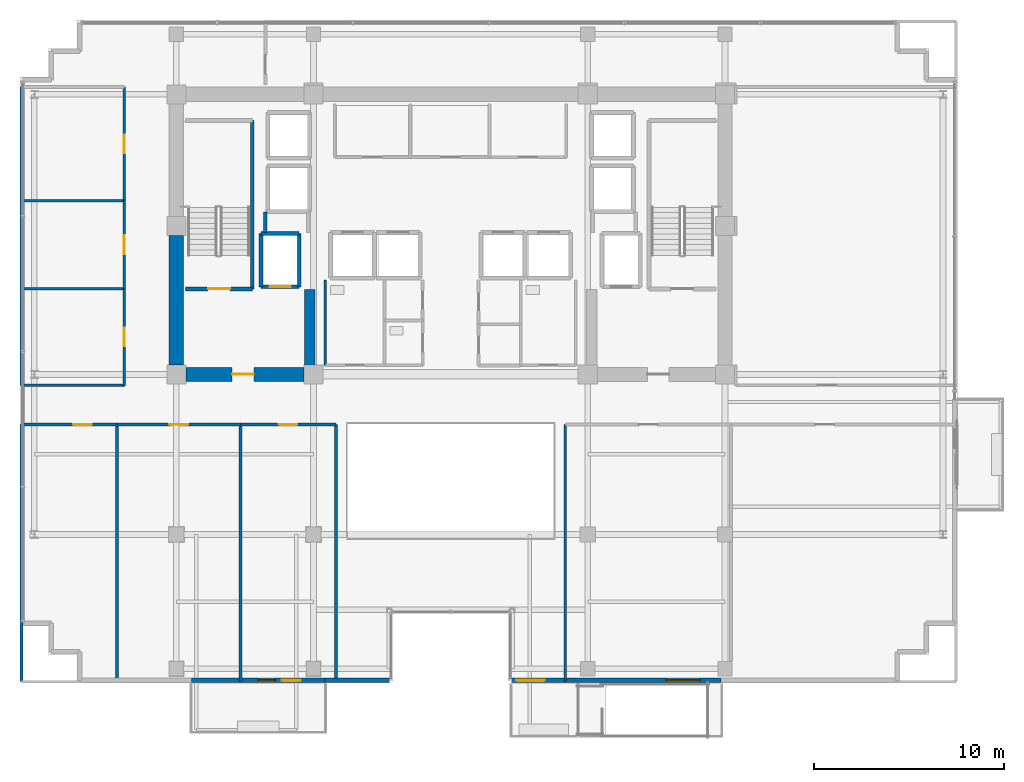
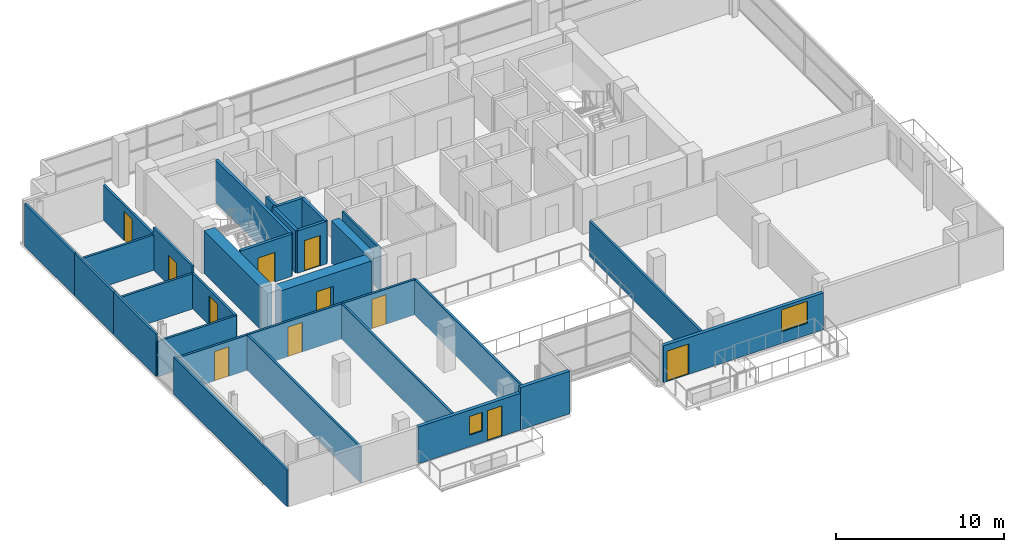
# One storey, part 16 of 23: 31 walls, 11 doors, 2 windows, 13 openings.
"""IFC4 building model written with IfcOpenShell, lengths in metres."""

from ifc_helpers import new_model, si_unit, direction, frame, frame_2d, origin, place, context, subcontext, project, spatial, rectangle, extrude, source, transform, mapped, material, layer, layer_set, type_object, element, fill, save


model = new_model("IFC4")

# Units and contexts
model_context = context("Model", 3, precision=1e-05, world=origin(), true_north=direction((0.0, 1.0)))
body_context = subcontext(model_context, "Body", "Model", "MODEL_VIEW")
ifc_project = project(units=[si_unit("LENGTHUNIT", "METRE"), si_unit("AREAUNIT", "SQUARE_METRE"), si_unit("VOLUMEUNIT", "CUBIC_METRE"), si_unit("PLANEANGLEUNIT", "RADIAN"), si_unit("MASSUNIT", "GRAM", prefix="KILO")], contexts=[model_context])

# Site, building, storey
site_placement = place(None, origin())
site = spatial("IfcSite", under=ifc_project, at=site_placement, CompositionType="ELEMENT")
building_placement = place(site_placement, origin())
building = spatial("IfcBuilding", under=site, at=building_placement, Name="Zarnakvel Exchange Tower", CompositionType="ELEMENT")
storey_placement = place(building_placement, frame((0.0, 0.0, 175.89990234375)))
storey = spatial("IfcBuildingStorey", under=building, at=storey_placement, Name="L49", CompositionType="ELEMENT", Elevation=175.89990234375)

# Wall
ifc_material_1 = material(Name="Concrete C60/75", Category="concrete")
ifc_layer_1 = layer(ifc_material_1, 0.75)
ifc_layer_set_1 = layer_set([ifc_layer_1], Name="Concrete C60/75")
wall_type_1 = type_object("IfcWallType", Name="CW-C3", PredefinedType="SHEAR", material=ifc_layer_set_1)
wall_1_placement = place(storey_placement, frame((-14.39990234375, -0.699951171875, 0.0), z_axis=(0.0, 0.0, 1.0), x_axis=(0.0, 1.0, 0.0)))
element("IfcWall", 1, at=wall_1_placement, inside=storey, type_object=wall_type_1, Name="L49 Rear Core Shear Wall W1 (CW-C3)", PredefinedType="SHEAR", context=body_context, shape_type="SweptSolid", body=[
    extrude(rectangle(XDim=6.800048828125, YDim=0.75, at=frame_2d((3.39990234375, 0.0))), origin(), (0.0, 0.0, 1.0), 3.0751953125),
])

# Wall, opening, door
wall_2_placement = place(storey_placement, frame((-7.699951171875, -1.199951171875, 0.0), z_axis=(0.0, 0.0, 1.0), x_axis=(-1.0, 0.0, 0.0)))
wall_2 = element("IfcWall", 2, at=wall_2_placement, inside=storey, type_object=wall_type_1, Name="L49 Rear Core Shear Wall SW (CW-C3)", PredefinedType="SHEAR", context=body_context, shape_type="SweptSolid", body=[
    extrude(rectangle(XDim=6.199951171875, YDim=0.75, at=frame_2d((3.10009765625, 0.0))), origin(), (0.0, 0.0, 1.0), 3.0751953125),
])
opening_1_placement = place(wall_2_placement, frame((2.625, 0.0, 0.0)))
opening_1 = element("IfcOpeningElement", 3, at=opening_1_placement, cuts=wall_2, Name="Opening D-L49-03", PredefinedType="OPENING", context=body_context, shape_type="SweptSolid", body=[
    extrude(rectangle(XDim=1.14990234375, YDim=2.14990234375, at=frame_2d((0.574951171875, 1.074951171875))), frame((0.0, 0.385009765625, 0.0), z_axis=(0.0, -1.0, 0.0), x_axis=(1.0, 0.0, 0.0)), (0.0, 0.0, 1.0), 0.77001953125),
])
ifc_material_2 = material(Name="Painted Galvanised Steel S355", Category="steel")
door_type_1 = type_object("IfcDoorType", Name="DT-04", OperationType="NOTDEFINED", PredefinedType="DOOR", material=ifc_material_2)
shared_shape_1 = source(origin(), body_context, "Body", "SweptSolid", [
    extrude(rectangle(XDim=1.14990234375, YDim=2.14990234375, at=frame_2d((0.574951171875, 1.074951171875))), frame((0.0, 0.02490234375, 0.0), z_axis=(0.0, -1.0, 0.0), x_axis=(1.0, 0.0, 0.0)), (0.0, 0.0, 1.0), 0.050048828125),
])
door_1_placement = place(opening_1_placement, origin())
door_1 = element("IfcDoor", 4, at=door_1_placement, inside=storey, type_object=door_type_1, Name="L49 Firefighting Lobby West Door D-L49-03", OperationType="SINGLE_SWING_LEFT", OverallHeight=2.14990234375, OverallWidth=1.14990234375, PredefinedType="DOOR", context=body_context, shape_type="MappedRepresentation", body=[
    mapped(shared_shape_1, transform((0.0, 0.0, 0.0), x_axis=(1.0, 0.0, 0.0), y_axis=(0.0, 1.0, 0.0), z_axis=(0.0, 0.0, 1.0), scale=1.0)),
])
fill(opening_1, door_1)

# Wall
ifc_layer_2 = layer(ifc_material_1, 0.550048828125)
ifc_layer_set_2 = layer_set([ifc_layer_2], Name="Concrete C60/75")
wall_type_2 = type_object("IfcWallType", Name="CW-C4", PredefinedType="SHEAR", material=ifc_layer_set_2)
wall_3_placement = place(storey_placement, frame((-7.39990234375, -0.824951171875, 0.0), z_axis=(0.0, 0.0, 1.0), x_axis=(0.0, 1.0, 0.0)))
element("IfcWall", 5, at=wall_3_placement, inside=storey, type_object=wall_type_2, Name="L49 Rear Core Shear Wall IW (CW-C4)", PredefinedType="SHEAR", context=body_context, shape_type="SweptSolid", body=[
    extrude(rectangle(XDim=4.074951171875, YDim=0.550048828125, at=frame_2d((2.03759765625, 0.0))), origin(), (0.0, 0.0, 1.0), 3.0751953125),
])

# Wall, openings, door, window
ifc_material_3 = material(Name="Precast concrete C40/50", Category="concrete")
ifc_layer_3 = layer(ifc_material_3, 0.239990234375)
ifc_layer_set_3 = layer_set([ifc_layer_3], Name="Precast concrete C40/50")
wall_type_3 = type_object("IfcWallType", Name="EW-02", PredefinedType="SOLIDWALL", material=ifc_layer_set_3)
wall_4_placement = place(storey_placement, frame((-6.60009765625, -17.260009765625, 0.0), z_axis=(0.0, 0.0, 1.0), x_axis=(-1.0, 0.0, 0.0)))
wall_4 = element("IfcWall", 6, at=wall_4_placement, inside=storey, type_object=wall_type_3, Name="L49 Exterior Precast Spandrel Wall EW-BAL-L49-SW (EW-02)", PredefinedType="SOLIDWALL", context=body_context, shape_type="SweptSolid", body=[
    extrude(rectangle(XDim=7.0, YDim=0.239990234375, at=frame_2d((3.5, 0.0))), origin(), (0.0, 0.0, 1.0), 2.6650390625),
])
opening_2_placement = place(wall_4_placement, frame((1.260009765625, 0.0, 0.0)))
opening_2 = element("IfcOpeningElement", 7, at=opening_2_placement, cuts=wall_4, Name="Opening BD-L49-01", PredefinedType="OPENING", context=body_context, shape_type="SweptSolid", body=[
    extrude(rectangle(XDim=1.0, YDim=2.199951171875, at=frame_2d((0.5, 1.10009765625))), frame((0.0, 0.1298828125, 0.0), z_axis=(0.0, -1.0, 0.0), x_axis=(1.0, 0.0, 0.0)), (0.0, 0.0, 1.0), 0.260009765625),
])
opening_3_placement = place(wall_4_placement, frame((2.610107421875, 0.0, 0.85009765625)))
opening_3 = element("IfcOpeningElement", 8, at=opening_3_placement, cuts=wall_4, Name="Opening WN-06", PredefinedType="OPENING", context=body_context, shape_type="SweptSolid", body=[
    extrude(rectangle(XDim=0.89990234375, YDim=1.35009765625, at=frame_2d((0.449951171875, 0.675048828125))), frame((0.0, 0.1298828125, 0.0), z_axis=(0.0, -1.0, 0.0), x_axis=(1.0, 0.0, 0.0)), (0.0, 0.0, 1.0), 0.260009765625),
])
ifc_material_4 = material(Name="Architectural Bronze Anodised Aluminium", Category="aluminium")
door_type_2 = type_object("IfcDoorType", Name="DT-09", OperationType="NOTDEFINED", PredefinedType="DOOR", material=ifc_material_4)
shared_shape_2 = source(origin(), body_context, "Body", "SweptSolid", [
    extrude(rectangle(XDim=1.0, YDim=2.199951171875, at=frame_2d((0.5, 1.10009765625))), frame((0.0, 0.02490234375, 0.0), z_axis=(0.0, -1.0, 0.0), x_axis=(1.0, 0.0, 0.0)), (0.0, 0.0, 1.0), 0.050048828125),
])
door_2_placement = place(opening_2_placement, origin())
door_2 = element("IfcDoor", 9, at=door_2_placement, inside=storey, type_object=door_type_2, Name="L49 Planted Loggia Balcony Door BD-L49-01", OperationType="SINGLE_SWING_LEFT", OverallHeight=2.199951171875, OverallWidth=1.0, PredefinedType="DOOR", context=body_context, shape_type="MappedRepresentation", body=[
    mapped(shared_shape_2, transform((0.0, 0.0, 0.0), x_axis=(1.0, 0.0, 0.0), y_axis=(0.0, 1.0, 0.0), z_axis=(0.0, 0.0, 1.0), scale=1.0)),
])
fill(opening_2, door_2)
ifc_material_5 = material(Name="Double Low-E Laminated Vision Glass", Category="glass")
window_type_1 = type_object("IfcWindowType", Name="WN-06", PartitioningType="SINGLE_PANEL", PredefinedType="WINDOW", material=ifc_material_5)
shared_shape_3 = source(origin(), body_context, "Body", "SweptSolid", [
    extrude(rectangle(XDim=0.89990234375, YDim=1.35009765625, at=frame_2d((0.449951171875, 0.675048828125))), frame((0.0, 0.030029296875, 0.0), z_axis=(0.0, -1.0, 0.0), x_axis=(1.0, 0.0, 0.0)), (0.0, 0.0, 1.0), 0.06005859375),
])
window_1_placement = place(opening_3_placement, origin())
window_1 = element("IfcWindow", 10, at=window_1_placement, inside=storey, type_object=window_type_1, Name="L49 Loggia Daylight Window (WN-06)", OverallHeight=1.35009765625, OverallWidth=0.89990234375, PartitioningType="SINGLE_PANEL", PredefinedType="WINDOW", context=body_context, shape_type="MappedRepresentation", body=[
    mapped(shared_shape_3, transform((0.0, 0.0, 0.0), x_axis=(1.0, 0.0, 0.0), y_axis=(0.0, 1.0, 0.0), z_axis=(0.0, 0.0, 1.0), scale=1.0)),
])
fill(opening_3, window_1)

wall_5_placement = place(storey_placement, frame((14.199951171875, -17.260009765625, 0.0), z_axis=(0.0, 0.0, 1.0), x_axis=(-1.0, 0.0, 0.0)))
wall_5 = element("IfcWall", 11, at=wall_5_placement, inside=storey, type_object=wall_type_3, Name="L49 Exterior Precast Spandrel Wall EW-SPTER-L49 (EW-02)", PredefinedType="SOLIDWALL", context=body_context, shape_type="SweptSolid", body=[
    extrude(rectangle(XDim=11.0, YDim=0.239990234375, at=frame_2d((5.5, 0.0))), origin(), (0.0, 0.0, 1.0), 2.6650390625),
])
opening_4_placement = place(wall_5_placement, frame((9.25, 0.0, 0.0)))
opening_4 = element("IfcOpeningElement", 12, at=opening_4_placement, cuts=wall_5, Name="Opening TD-L49-SP", PredefinedType="OPENING", context=body_context, shape_type="SweptSolid", body=[
    extrude(rectangle(XDim=1.5, YDim=2.199951171875, at=frame_2d((0.75, 1.10009765625))), frame((0.0, 0.1298828125, 0.0), z_axis=(0.0, -1.0, 0.0), x_axis=(1.0, 0.0, 0.0)), (0.0, 0.0, 1.0), 0.260009765625),
])
opening_5_placement = place(wall_5_placement, frame((1.10009765625, 0.0, 0.85009765625)))
opening_5 = element("IfcOpeningElement", 13, at=opening_5_placement, cuts=wall_5, Name="Opening WN-05", PredefinedType="OPENING", context=body_context, shape_type="SweptSolid", body=[
    extrude(rectangle(XDim=1.800048828125, YDim=1.60009765625, at=frame_2d((0.89990234375, 0.800048828125))), frame((0.0, 0.1298828125, 0.0), z_axis=(0.0, -1.0, 0.0), x_axis=(1.0, 0.0, 0.0)), (0.0, 0.0, 1.0), 0.260009765625),
])
door_type_3 = type_object("IfcDoorType", Name="DT-10", OperationType="NOTDEFINED", PredefinedType="DOOR", material=ifc_material_4)
shared_shape_4 = source(origin(), body_context, "Body", "SweptSolid", [
    extrude(rectangle(XDim=1.5, YDim=2.199951171875, at=frame_2d((0.75, 1.10009765625))), frame((0.0, 0.02490234375, 0.0), z_axis=(0.0, -1.0, 0.0), x_axis=(1.0, 0.0, 0.0)), (0.0, 0.0, 1.0), 0.050048828125),
])
door_3_placement = place(opening_4_placement, origin())
door_3 = element("IfcDoor", 14, at=door_3_placement, inside=storey, type_object=door_type_3, Name="L49 Spiral Sky-Terrace Access Door TD-L49-SP", OperationType="DOUBLE_DOOR_SINGLE_SWING", OverallHeight=2.199951171875, OverallWidth=1.5, PredefinedType="DOOR", context=body_context, shape_type="MappedRepresentation", body=[
    mapped(shared_shape_4, transform((0.0, 0.0, 0.0), x_axis=(1.0, 0.0, 0.0), y_axis=(0.0, 1.0, 0.0), z_axis=(0.0, 0.0, 1.0), scale=1.0)),
])
fill(opening_4, door_3)
window_type_2 = type_object("IfcWindowType", Name="WN-05", PartitioningType="SINGLE_PANEL", PredefinedType="WINDOW", material=ifc_material_5)
shared_shape_5 = source(origin(), body_context, "Body", "SweptSolid", [
    extrude(rectangle(XDim=1.800048828125, YDim=1.60009765625, at=frame_2d((0.89990234375, 0.800048828125))), frame((0.0, 0.030029296875, 0.0), z_axis=(0.0, -1.0, 0.0), x_axis=(1.0, 0.0, 0.0)), (0.0, 0.0, 1.0), 0.06005859375),
])
window_2_placement = place(opening_5_placement, origin())
window_2 = element("IfcWindow", 15, at=window_2_placement, inside=storey, type_object=window_type_2, Name="L49 Spiral Sky-Terrace Lounge Window", OverallHeight=1.60009765625, OverallWidth=1.800048828125, PartitioningType="SINGLE_PANEL", PredefinedType="WINDOW", context=body_context, shape_type="MappedRepresentation", body=[
    mapped(shared_shape_5, transform((0.0, 0.0, 0.0), x_axis=(1.0, 0.0, 0.0), y_axis=(0.0, 1.0, 0.0), z_axis=(0.0, 0.0, 1.0), scale=1.0)),
])
fill(opening_5, window_2)

# Wall
wall_6_placement = place(storey_placement, frame((-6.60009765625, -17.260009765625, 0.0), z_axis=(0.0, 0.0, 1.0), x_axis=(1.0, 0.0, 0.0)))
element("IfcWall", 16, at=wall_6_placement, inside=storey, type_object=wall_type_3, Name="L49 Exterior Precast Spandrel Wall EWC-L49-20 (EW-02)", PredefinedType="SOLIDWALL", context=body_context, shape_type="SweptSolid", body=[
    extrude(rectangle(XDim=3.400146484375, YDim=0.239990234375, at=frame_2d((1.7001953125, 0.0))), origin(), (0.0, 0.0, 1.0), 3.0751953125),
])

# Wall, opening, door
ifc_material_6 = material(Name="Fire-Rated Gypsum Stud Partition", Category="gypsum")
ifc_layer_4 = layer(ifc_material_6, 0.14990234375)
ifc_layer_set_4 = layer_set([ifc_layer_4], Name="Fire-Rated Gypsum Stud Partition")
wall_type_4 = type_object("IfcWallType", Name="PT-01", PredefinedType="PARTITIONING", material=ifc_layer_set_4)
wall_7_placement = place(storey_placement, frame((-22.530029296875, -3.830078125, 0.0), z_axis=(0.0, 0.0, 1.0), x_axis=(1.0, 0.0, 0.0)))
wall_7 = element("IfcWall", 17, at=wall_7_placement, inside=storey, type_object=wall_type_4, Name="L49 Partition Wall PWALL-L49-034 (PT-01)", PredefinedType="PARTITIONING", context=body_context, shape_type="SweptSolid", body=[
    extrude(rectangle(XDim=5.017578125, YDim=0.14990234375, at=frame_2d((2.5087890625, 0.0))), origin(), (0.0, 0.0, 1.0), 2.565185546875),
])
opening_6_placement = place(wall_7_placement, frame((2.718994140625, 0.0, 0.0)))
opening_6 = element("IfcOpeningElement", 18, at=opening_6_placement, cuts=wall_7, Name="Opening D-L49-14", PredefinedType="OPENING", context=body_context, shape_type="SweptSolid", body=[
    extrude(rectangle(XDim=0.97998046875, YDim=2.14990234375, at=frame_2d((0.489990234375, 1.074951171875))), frame((0.0, 0.0849609375, 0.0), z_axis=(0.0, -1.0, 0.0), x_axis=(1.0, 0.0, 0.0)), (0.0, 0.0, 1.0), 0.169921875),
])
ifc_material_7 = material(Name="Timber Acoustic Veneer", Category="wood")
door_type_4 = type_object("IfcDoorType", Name="DT-05", OperationType="NOTDEFINED", PredefinedType="DOOR", material=ifc_material_7)
shared_shape_6 = source(origin(), body_context, "Body", "SweptSolid", [
    extrude(rectangle(XDim=0.97998046875, YDim=2.14990234375, at=frame_2d((0.489990234375, 1.074951171875))), frame((0.0, 0.02490234375, 0.0), z_axis=(0.0, -1.0, 0.0), x_axis=(1.0, 0.0, 0.0)), (0.0, 0.0, 1.0), 0.050048828125),
])
door_4_placement = place(opening_6_placement, origin())
door_4 = element("IfcDoor", 19, at=door_4_placement, inside=storey, type_object=door_type_4, Name="L49 Commodities Dealing Room Door D-L49-14", OperationType="SINGLE_SWING_RIGHT", OverallHeight=2.14990234375, OverallWidth=0.97998046875, PredefinedType="DOOR", context=body_context, shape_type="MappedRepresentation", body=[
    mapped(shared_shape_6, transform((0.0, 0.0, 0.0), x_axis=(1.0, 0.0, 0.0), y_axis=(0.0, 1.0, 0.0), z_axis=(0.0, 0.0, 1.0), scale=1.0)),
])
fill(opening_6, door_4)

# Walls
wall_8_placement = place(storey_placement, frame((-22.530029296875, -17.330078125, 0.0), z_axis=(0.0, 0.0, 1.0), x_axis=(0.0, 1.0, 0.0)))
element("IfcWall", 20, at=wall_8_placement, inside=storey, type_object=wall_type_4, Name="L49 Partition Wall PWALL-L49-035 (PT-01)", PredefinedType="PARTITIONING", context=body_context, shape_type="SweptSolid", body=[
    extrude(rectangle(XDim=13.5, YDim=0.14990234375, at=frame_2d((6.75, 0.0))), origin(), (0.0, 0.0, 1.0), 2.6650390625),
])
wall_9_placement = place(storey_placement, frame((-17.512451171875, -3.830078125, 0.0), z_axis=(0.0, 0.0, 1.0), x_axis=(0.0, -1.0, 0.0)))
element("IfcWall", 21, at=wall_9_placement, inside=storey, type_object=wall_type_4, Name="L49 Partition Wall PWALL-L49-036 (PT-01)", PredefinedType="PARTITIONING", context=body_context, shape_type="SweptSolid", body=[
    extrude(rectangle(XDim=13.5, YDim=0.14990234375, at=frame_2d((6.75, 0.0))), origin(), (0.0, 0.0, 1.0), 2.565185546875),
])

# Wall, opening, door
wall_10_placement = place(storey_placement, frame((-17.512451171875, -3.830078125, 0.0), z_axis=(0.0, 0.0, 1.0), x_axis=(1.0, 0.0, 0.0)))
wall_10 = element("IfcWall", 22, at=wall_10_placement, inside=storey, type_object=wall_type_4, Name="L49 Partition Wall PWALL-L49-038 (PT-01)", PredefinedType="PARTITIONING", context=body_context, shape_type="SweptSolid", body=[
    extrude(rectangle(XDim=6.474853515625, YDim=0.14990234375, at=frame_2d((3.2373046875, 0.0))), origin(), (0.0, 0.0, 1.0), 2.565185546875),
])
opening_7_placement = place(wall_10_placement, frame((2.747314453125, 0.0, 0.0)))
opening_7 = element("IfcOpeningElement", 23, at=opening_7_placement, cuts=wall_10, Name="Opening D-L49-15", PredefinedType="OPENING", context=body_context, shape_type="SweptSolid", body=[
    extrude(rectangle(XDim=0.97998046875, YDim=2.14990234375, at=frame_2d((0.489990234375, 1.074951171875))), frame((0.0, 0.0849609375, 0.0), z_axis=(0.0, -1.0, 0.0), x_axis=(1.0, 0.0, 0.0)), (0.0, 0.0, 1.0), 0.169921875),
])
door_5_placement = place(opening_7_placement, origin())
door_5 = element("IfcDoor", 24, at=door_5_placement, inside=storey, type_object=door_type_4, Name="L49 Brokerage Office Door D-L49-15", OperationType="SINGLE_SWING_LEFT", OverallHeight=2.14990234375, OverallWidth=0.97998046875, PredefinedType="DOOR", context=body_context, shape_type="MappedRepresentation", body=[
    mapped(shared_shape_6, transform((0.0, 0.0, 0.0), x_axis=(1.0, 0.0, 0.0), y_axis=(0.0, 1.0, 0.0), z_axis=(0.0, 0.0, 1.0), scale=1.0)),
])
fill(opening_7, door_5)

# Wall
wall_11_placement = place(storey_placement, frame((-11.03759765625, -3.830078125, 0.0), z_axis=(0.0, 0.0, 1.0), x_axis=(0.0, -1.0, 0.0)))
element("IfcWall", 25, at=wall_11_placement, inside=storey, type_object=wall_type_4, Name="L49 Partition Wall PWALL-L49-039 (PT-01)", PredefinedType="PARTITIONING", context=body_context, shape_type="SweptSolid", body=[
    extrude(rectangle(XDim=13.5, YDim=0.14990234375, at=frame_2d((6.75, 0.0))), origin(), (0.0, 0.0, 1.0), 2.565185546875),
])

# Wall, opening, door
wall_12_placement = place(storey_placement, frame((-11.03759765625, -3.830078125, 0.0), z_axis=(0.0, 0.0, 1.0), x_axis=(1.0, 0.0, 0.0)))
wall_12 = element("IfcWall", 26, at=wall_12_placement, inside=storey, type_object=wall_type_4, Name="L49 Partition Wall PWALL-L49-041 (PT-01)", PredefinedType="PARTITIONING", context=body_context, shape_type="SweptSolid", body=[
    extrude(rectangle(XDim=5.017578125, YDim=0.14990234375, at=frame_2d((2.5087890625, 0.0))), origin(), (0.0, 0.0, 1.0), 2.565185546875),
])
opening_8_placement = place(wall_12_placement, frame((2.0185546875, 0.0, 0.0)))
opening_8 = element("IfcOpeningElement", 27, at=opening_8_placement, cuts=wall_12, Name="Opening D-L49-16", PredefinedType="OPENING", context=body_context, shape_type="SweptSolid", body=[
    extrude(rectangle(XDim=0.97998046875, YDim=2.14990234375, at=frame_2d((0.489990234375, 1.074951171875))), frame((0.0, 0.0849609375, 0.0), z_axis=(0.0, -1.0, 0.0), x_axis=(1.0, 0.0, 0.0)), (0.0, 0.0, 1.0), 0.169921875),
])
door_6_placement = place(opening_8_placement, origin())
door_6 = element("IfcDoor", 28, at=door_6_placement, inside=storey, type_object=door_type_4, Name="L49 Seminar Room Door D-L49-16", OperationType="SINGLE_SWING_RIGHT", OverallHeight=2.14990234375, OverallWidth=0.97998046875, PredefinedType="DOOR", context=body_context, shape_type="MappedRepresentation", body=[
    mapped(shared_shape_6, transform((0.0, 0.0, 0.0), x_axis=(1.0, 0.0, 0.0), y_axis=(0.0, 1.0, 0.0), z_axis=(0.0, 0.0, 1.0), scale=1.0)),
])
fill(opening_8, door_6)

# Walls
for number, where, z_axis, x_axis, name in (
    (29, (-6.02001953125, -3.830078125, 0.0), (0.0, 0.0, 1.0), (0.0, -1.0, 0.0), "L49 Partition Wall PWALL-L49-042 (PT-01)"),
    (30, (6.02001953125, -17.330078125, 0.0), (0.0, 0.0, 1.0), (0.0, 1.0, 0.0), "L49 Partition Wall PWALL-L49-045 (PT-01)"),
):
    element("IfcWall", number, at=place(storey_placement, frame(where, z_axis=z_axis, x_axis=x_axis)), inside=storey, type_object=wall_type_4, Name=name, PredefinedType="PARTITIONING", context=body_context, shape_type="SweptSolid", body=[
        extrude(rectangle(XDim=13.5, YDim=0.14990234375, at=frame_2d((6.75, 0.0))), origin(), (0.0, 0.0, 1.0), 2.565185546875),
    ])
for number, where, z_axis, x_axis, name in (
    (31, (-17.1298828125, -1.77001953125, 0.0), (0.0, 0.0, 1.0), (-1.0, 0.0, 0.0), "L49 Partition Wall PWALL-L49-051 (PT-01)"),
    (32, (-22.530029296875, 3.2978515625, 0.0), (0.0, 0.0, 1.0), (1.0, 0.0, 0.0), "L49 Partition Wall PWALL-L49-052 (PT-01)"),
):
    element("IfcWall", number, at=place(storey_placement, frame(where, z_axis=z_axis, x_axis=x_axis)), inside=storey, type_object=wall_type_4, Name=name, PredefinedType="PARTITIONING", context=body_context, shape_type="SweptSolid", body=[
        extrude(rectangle(XDim=5.400146484375, YDim=0.14990234375, at=frame_2d((2.7001953125, 0.0))), origin(), (0.0, 0.0, 1.0), 2.565185546875),
    ])
wall_13_placement = place(storey_placement, frame((-22.530029296875, -1.77001953125, 0.0), z_axis=(0.0, 0.0, 1.0), x_axis=(0.0, 1.0, 0.0)))
element("IfcWall", 33, at=wall_13_placement, inside=storey, type_object=wall_type_4, Name="L49 Partition Wall PWALL-L49-053 (PT-01)", PredefinedType="PARTITIONING", context=body_context, shape_type="SweptSolid", body=[
    extrude(rectangle(XDim=5.06787109375, YDim=0.14990234375, at=frame_2d((2.533935546875, 0.0))), origin(), (0.0, 0.0, 1.0), 3.0751953125),
])

# Wall, opening, door
wall_14_placement = place(storey_placement, frame((-17.1298828125, 3.2978515625, 0.0), z_axis=(0.0, 0.0, 1.0), x_axis=(0.0, -1.0, 0.0)))
wall_14 = element("IfcWall", 34, at=wall_14_placement, inside=storey, type_object=wall_type_4, Name="L49 Partition Wall PWALL-L49-054 (PT-01)", PredefinedType="PARTITIONING", context=body_context, shape_type="SweptSolid", body=[
    extrude(rectangle(XDim=5.06787109375, YDim=0.14990234375, at=frame_2d((2.533935546875, 0.0))), origin(), (0.0, 0.0, 1.0), 2.565185546875),
])
opening_9_placement = place(wall_14_placement, frame((2.0439453125, 0.0, 0.0)))
opening_9 = element("IfcOpeningElement", 35, at=opening_9_placement, cuts=wall_14, Name="Opening D-L49-19", PredefinedType="OPENING", context=body_context, shape_type="SweptSolid", body=[
    extrude(rectangle(XDim=0.97998046875, YDim=2.14990234375, at=frame_2d((0.489990234375, 1.074951171875))), frame((0.0, 0.0849609375, 0.0), z_axis=(0.0, -1.0, 0.0), x_axis=(1.0, 0.0, 0.0)), (0.0, 0.0, 1.0), 0.169921875),
])
door_7_placement = place(opening_9_placement, origin())
door_7 = element("IfcDoor", 36, at=door_7_placement, inside=storey, type_object=door_type_4, Name="L49 Boardroom Door D-L49-19", OperationType="SINGLE_SWING_LEFT", OverallHeight=2.14990234375, OverallWidth=0.97998046875, PredefinedType="DOOR", context=body_context, shape_type="MappedRepresentation", body=[
    mapped(shared_shape_6, transform((0.0, 0.0, 0.0), x_axis=(1.0, 0.0, 0.0), y_axis=(0.0, 1.0, 0.0), z_axis=(0.0, 0.0, 1.0), scale=1.0)),
])
fill(opening_9, door_7)

# Walls
wall_15_placement = place(storey_placement, frame((-22.530029296875, 7.919677734375, 0.0), z_axis=(0.0, 0.0, 1.0), x_axis=(1.0, 0.0, 0.0)))
element("IfcWall", 37, at=wall_15_placement, inside=storey, type_object=wall_type_4, Name="L49 Partition Wall PWALL-L49-055 (PT-01)", PredefinedType="PARTITIONING", context=body_context, shape_type="SweptSolid", body=[
    extrude(rectangle(XDim=5.400146484375, YDim=0.14990234375, at=frame_2d((2.7001953125, 0.0))), origin(), (0.0, 0.0, 1.0), 2.565185546875),
])
wall_16_placement = place(storey_placement, frame((-22.530029296875, 3.2978515625, 0.0), z_axis=(0.0, 0.0, 1.0), x_axis=(0.0, 1.0, 0.0)))
element("IfcWall", 38, at=wall_16_placement, inside=storey, type_object=wall_type_4, Name="L49 Partition Wall PWALL-L49-056 (PT-01)", PredefinedType="PARTITIONING", context=body_context, shape_type="SweptSolid", body=[
    extrude(rectangle(XDim=4.621826171875, YDim=0.14990234375, at=frame_2d((2.31103515625, 0.0))), origin(), (0.0, 0.0, 1.0), 3.0751953125),
])

# Wall, opening, door
wall_17_placement = place(storey_placement, frame((-17.1298828125, 7.919677734375, 0.0), z_axis=(0.0, 0.0, 1.0), x_axis=(0.0, -1.0, 0.0)))
wall_17 = element("IfcWall", 39, at=wall_17_placement, inside=storey, type_object=wall_type_4, Name="L49 Partition Wall PWALL-L49-057 (PT-01)", PredefinedType="PARTITIONING", context=body_context, shape_type="SweptSolid", body=[
    extrude(rectangle(XDim=4.621826171875, YDim=0.14990234375, at=frame_2d((2.31103515625, 0.0))), origin(), (0.0, 0.0, 1.0), 3.0751953125),
])
opening_10_placement = place(wall_17_placement, frame((1.82080078125, 0.0, 0.0)))
opening_10 = element("IfcOpeningElement", 40, at=opening_10_placement, cuts=wall_17, Name="Opening D-L49-20", PredefinedType="OPENING", context=body_context, shape_type="SweptSolid", body=[
    extrude(rectangle(XDim=0.97998046875, YDim=2.14990234375, at=frame_2d((0.489990234375, 1.074951171875))), frame((0.0, 0.0849609375, 0.0), z_axis=(0.0, -1.0, 0.0), x_axis=(1.0, 0.0, 0.0)), (0.0, 0.0, 1.0), 0.169921875),
])
door_8_placement = place(opening_10_placement, origin())
door_8 = element("IfcDoor", 41, at=door_8_placement, inside=storey, type_object=door_type_4, Name="L49 Tea Pantry Door D-L49-20", OperationType="SINGLE_SWING_RIGHT", OverallHeight=2.14990234375, OverallWidth=0.97998046875, PredefinedType="DOOR", context=body_context, shape_type="MappedRepresentation", body=[
    mapped(shared_shape_6, transform((0.0, 0.0, 0.0), x_axis=(1.0, 0.0, 0.0), y_axis=(0.0, 1.0, 0.0), z_axis=(0.0, 0.0, 1.0), scale=1.0)),
])
fill(opening_10, door_8)

# Wall
wall_18_placement = place(storey_placement, frame((-22.530029296875, 7.919677734375, 0.0), z_axis=(0.0, 0.0, 1.0), x_axis=(0.0, 1.0, 0.0)))
element("IfcWall", 42, at=wall_18_placement, inside=storey, type_object=wall_type_4, Name="L49 Partition Wall PWALL-L49-059 (PT-01)", PredefinedType="PARTITIONING", context=body_context, shape_type="SweptSolid", body=[
    extrude(rectangle(XDim=5.960205078125, YDim=0.14990234375, at=frame_2d((2.97998046875, 0.0))), origin(), (0.0, 0.0, 1.0), 3.0751953125),
])

# Wall, opening, door
wall_19_placement = place(storey_placement, frame((-17.1298828125, 13.8798828125, 0.0), z_axis=(0.0, 0.0, 1.0), x_axis=(0.0, -1.0, 0.0)))
wall_19 = element("IfcWall", 43, at=wall_19_placement, inside=storey, type_object=wall_type_4, Name="L49 Partition Wall PWALL-L49-060 (PT-01)", PredefinedType="PARTITIONING", context=body_context, shape_type="SweptSolid", body=[
    extrude(rectangle(XDim=5.960205078125, YDim=0.14990234375, at=frame_2d((2.97998046875, 0.0))), origin(), (0.0, 0.0, 1.0), 2.565185546875),
])
opening_11_placement = place(wall_19_placement, frame((2.489990234375, 0.0, 0.0)))
opening_11 = element("IfcOpeningElement", 44, at=opening_11_placement, cuts=wall_19, Name="Opening D-L49-21", PredefinedType="OPENING", context=body_context, shape_type="SweptSolid", body=[
    extrude(rectangle(XDim=0.97998046875, YDim=2.14990234375, at=frame_2d((0.489990234375, 1.074951171875))), frame((0.0, 0.0849609375, 0.0), z_axis=(0.0, -1.0, 0.0), x_axis=(1.0, 0.0, 0.0)), (0.0, 0.0, 1.0), 0.169921875),
])
door_9_placement = place(opening_11_placement, origin())
door_9 = element("IfcDoor", 45, at=door_9_placement, inside=storey, type_object=door_type_4, Name="L49 Fintech Workspace Door D-L49-21", OperationType="SINGLE_SWING_LEFT", OverallHeight=2.14990234375, OverallWidth=0.97998046875, PredefinedType="DOOR", context=body_context, shape_type="MappedRepresentation", body=[
    mapped(shared_shape_6, transform((0.0, 0.0, 0.0), x_axis=(1.0, 0.0, 0.0), y_axis=(0.0, 1.0, 0.0), z_axis=(0.0, 0.0, 1.0), scale=1.0)),
])
fill(opening_11, door_9)

# Walls
ifc_layer_5 = layer(ifc_material_6, 0.179931640625)
ifc_layer_set_5 = layer_set([ifc_layer_5], Name="Fire-Rated Gypsum Stud Partition")
wall_type_5 = type_object("IfcWallType", Name="PT-02", PredefinedType="PARTITIONING", material=ifc_layer_set_5)
wall_20_placement = place(storey_placement, frame((-9.72998046875, 6.239990234375, 0.0), z_axis=(0.0, 0.0, 1.0), x_axis=(0.0, 1.0, 0.0)))
element("IfcWall", 46, at=wall_20_placement, inside=storey, type_object=wall_type_5, Name="L49 Partition Wall PWALL-L49-007 (PT-02)", PredefinedType="PARTITIONING", context=body_context, shape_type="SweptSolid", body=[
    extrude(rectangle(XDim=1.090087890625, YDim=0.179931640625, at=frame_2d((0.544921875, 0.0))), origin(), (0.0, 0.0, 1.0), 3.0751953125),
])
ifc_material_8 = material(Name="Moisture-Resistant Tile-Faced Partition", Category="gypsum")
ifc_layer_6 = layer(ifc_material_8, 0.135009765625)
ifc_layer_set_6 = layer_set([ifc_layer_6], Name="Moisture-Resistant Tile-Faced Partition")
wall_type_6 = type_object("IfcWallType", Name="PT-03", PredefinedType="PARTITIONING", material=ifc_layer_set_6)
wall_21_placement = place(storey_placement, frame((-6.580078125, -0.72998046875, 0.0), z_axis=(0.0, 0.0, 1.0), x_axis=(0.0, 1.0, 0.0)))
element("IfcWall", 47, at=wall_21_placement, inside=storey, type_object=wall_type_6, Name="L49 Partition Wall PWALL-L49-019 (PT-03)", PredefinedType="PARTITIONING", context=body_context, shape_type="SweptSolid", body=[
    extrude(rectangle(XDim=4.489990234375, YDim=0.135009765625, at=frame_2d((2.2451171875, 0.0))), origin(), (0.0, 0.0, 1.0), 3.0751953125),
])

# Wall, opening, door
ifc_material_9 = material(Name="Concrete C40/50", Category="concrete")
ifc_layer_7 = layer(ifc_material_9, 0.199951171875)
ifc_layer_set_7 = layer_set([ifc_layer_7], Name="Concrete C40/50")
wall_type_7 = type_object("IfcWallType", Name="SW-01", PredefinedType="SOLIDWALL", material=ifc_layer_set_7)
wall_22_placement = place(storey_placement, frame((-7.949951171875, 3.39990234375, 0.0), z_axis=(0.0, 0.0, 1.0), x_axis=(-1.0, 0.0, 0.0)))
wall_22 = element("IfcWall", 48, at=wall_22_placement, inside=storey, type_object=wall_type_7, Name="L49 FL-01 Hoistway Wall South", PredefinedType="SOLIDWALL", context=body_context, shape_type="SweptSolid", body=[
    extrude(rectangle(XDim=2.0, YDim=0.199951171875, at=frame_2d((1.0, 0.0))), origin(), (0.0, 0.0, 1.0), 3.0751953125),
])
opening_12_placement = place(wall_22_placement, frame((0.449951171875, 0.0, 0.0)))
opening_12 = element("IfcOpeningElement", 49, at=opening_12_placement, cuts=wall_22, Name="Opening LD-FL-01-L49", PredefinedType="OPENING", context=body_context, shape_type="SweptSolid", body=[
    extrude(rectangle(XDim=1.10009765625, YDim=2.199951171875, at=frame_2d((0.550048828125, 1.10009765625))), frame((0.0, 0.10986328125, 0.0), z_axis=(0.0, -1.0, 0.0), x_axis=(1.0, 0.0, 0.0)), (0.0, 0.0, 1.0), 0.219970703125),
])
ifc_material_10 = material(Name="Brushed Stainless Steel", Category="steel")
door_type_5 = type_object("IfcDoorType", Name="LDT-01", OperationType="NOTDEFINED", PredefinedType="DOOR", material=ifc_material_10)
shared_shape_7 = source(origin(), body_context, "Body", "SweptSolid", [
    extrude(rectangle(XDim=1.10009765625, YDim=2.199951171875, at=frame_2d((0.550048828125, 1.10009765625))), frame((0.0, 0.02490234375, 0.0), z_axis=(0.0, -1.0, 0.0), x_axis=(1.0, 0.0, 0.0)), (0.0, 0.0, 1.0), 0.050048828125),
])
door_10_placement = place(opening_12_placement, origin())
door_10 = element("IfcDoor", 50, at=door_10_placement, inside=storey, type_object=door_type_5, Name="L49 FL-01 Lift Landing Door LD-FL-01-L49", OperationType="DOUBLE_DOOR_SLIDING", OverallHeight=2.199951171875, OverallWidth=1.10009765625, PredefinedType="DOOR", context=body_context, shape_type="MappedRepresentation", body=[
    mapped(shared_shape_7, transform((0.0, 0.0, 0.0), x_axis=(1.0, 0.0, 0.0), y_axis=(0.0, 1.0, 0.0), z_axis=(0.0, 0.0, 1.0), scale=1.0)),
])
fill(opening_12, door_10)

# Walls
wall_23_placement = place(storey_placement, frame((-9.949951171875, 6.199951171875, 0.0), z_axis=(0.0, 0.0, 1.0), x_axis=(1.0, 0.0, 0.0)))
element("IfcWall", 51, at=wall_23_placement, inside=storey, type_object=wall_type_7, Name="L49 FL-01 Hoistway Wall North", PredefinedType="SOLIDWALL", context=body_context, shape_type="SweptSolid", body=[
    extrude(rectangle(XDim=2.0, YDim=0.199951171875, at=frame_2d((1.0, 0.0))), origin(), (0.0, 0.0, 1.0), 3.0751953125),
])
for number, where, z_axis, x_axis, name in (
    (52, (-9.949951171875, 3.39990234375, 0.0), (0.0, 0.0, 1.0), (0.0, 1.0, 0.0), "L49 FL-01 Hoistway Wall West"),
    (53, (-7.949951171875, 6.199951171875, 0.0), (0.0, 0.0, 1.0), (0.0, -1.0, 0.0), "L49 FL-01 Hoistway Wall East"),
):
    element("IfcWall", number, at=place(storey_placement, frame(where, z_axis=z_axis, x_axis=x_axis)), inside=storey, type_object=wall_type_7, Name=name, PredefinedType="SOLIDWALL", context=body_context, shape_type="SweptSolid", body=[
        extrude(rectangle(XDim=2.800048828125, YDim=0.199951171875, at=frame_2d((1.39990234375, 0.0))), origin(), (0.0, 0.0, 1.0), 3.0751953125),
    ])

# Wall, opening, door
ifc_layer_8 = layer(ifc_material_9, 0.199951171875)
ifc_layer_set_8 = layer_set([ifc_layer_8], Name="Concrete C40/50")
wall_type_8 = type_object("IfcWallType", Name="SW-02", PredefinedType="SOLIDWALL", material=ifc_layer_set_8)
wall_24_placement = place(storey_placement, frame((-10.409912109375, 3.2900390625, 0.0), z_axis=(0.0, 0.0, 1.0), x_axis=(-1.0, 0.0, 0.0)))
wall_24 = element("IfcWall", 54, at=wall_24_placement, inside=storey, type_object=wall_type_8, Name="L49 Stairwell Core Wall PWALL-L49-001 (SW-02)", PredefinedType="SOLIDWALL", context=body_context, shape_type="SweptSolid", body=[
    extrude(rectangle(XDim=3.52001953125, YDim=0.199951171875, at=frame_2d((1.760009765625, 0.0))), origin(), (0.0, 0.0, 1.0), 3.0751953125),
])
opening_13_placement = place(wall_24_placement, frame((1.1650390625, 0.0, 0.0)))
opening_13 = element("IfcOpeningElement", 55, at=opening_13_placement, cuts=wall_24, Name="Opening D-L49-01", PredefinedType="OPENING", context=body_context, shape_type="SweptSolid", body=[
    extrude(rectangle(XDim=1.14990234375, YDim=2.14990234375, at=frame_2d((0.574951171875, 1.074951171875))), frame((0.0, 0.10986328125, 0.0), z_axis=(0.0, -1.0, 0.0), x_axis=(1.0, 0.0, 0.0)), (0.0, 0.0, 1.0), 0.219970703125),
])
door_11_placement = place(opening_13_placement, origin())
door_11 = element("IfcDoor", 56, at=door_11_placement, inside=storey, type_object=door_type_1, Name="L49 Stairwell ST-01 Door D-L49-01", OperationType="SINGLE_SWING_LEFT", OverallHeight=2.14990234375, OverallWidth=1.14990234375, PredefinedType="DOOR", context=body_context, shape_type="MappedRepresentation", body=[
    mapped(shared_shape_1, transform((0.0, 0.0, 0.0), x_axis=(1.0, 0.0, 0.0), y_axis=(0.0, 1.0, 0.0), z_axis=(0.0, 0.0, 1.0), scale=1.0)),
])
fill(opening_13, door_11)

# Wall
wall_25_placement = place(storey_placement, frame((-10.409912109375, 12.1298828125, 0.0), z_axis=(0.0, 0.0, 1.0), x_axis=(0.0, -1.0, 0.0)))
element("IfcWall", 57, at=wall_25_placement, inside=storey, type_object=wall_type_8, Name="L49 Stairwell Core Wall PWALL-L49-003 (SW-02)", PredefinedType="SOLIDWALL", context=body_context, shape_type="SweptSolid", body=[
    extrude(rectangle(XDim=8.83984375, YDim=0.199951171875, at=frame_2d((4.419921875, 0.0))), origin(), (0.0, 0.0, 1.0), 3.0751953125),
])

save(model, "model.ifc")
